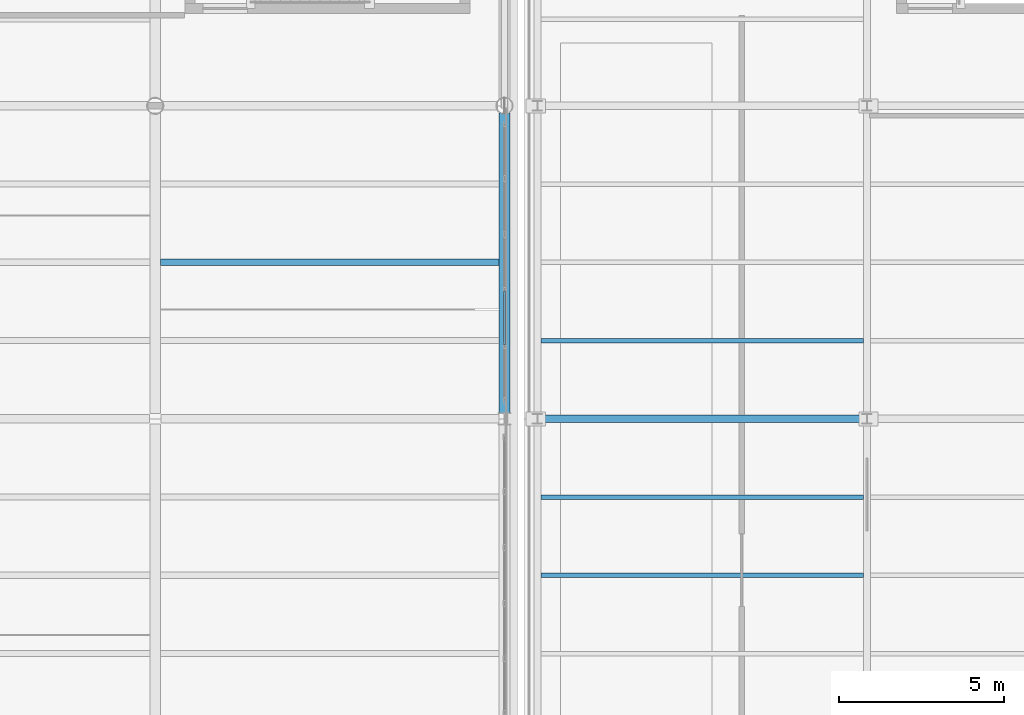
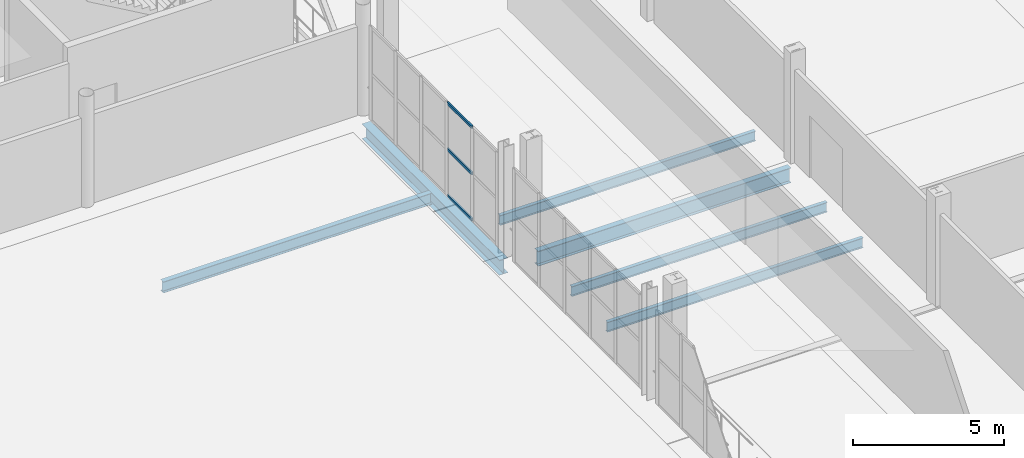
# One storey, part 91 of 156: 6 beams, 3 members, 1 element without a shape of its own.
"""IFC4 building model written with IfcOpenShell, lengths in metres."""

from ifc_helpers import new_model, si_unit, direction, frame, origin, origin_2d, place, context, subcontext, project, spatial, hollow_rectangle, i_section, extrude, material, material_profile, profile_set, type_object, element, aggregate, save


model = new_model("IFC4")

# Units and contexts
model_context = context("Model", 3, precision=1e-05, world=origin(), true_north=direction((0.0, 1.0)))
body_context = subcontext(model_context, "Body", "Model", "MODEL_VIEW")
ifc_project = project(units=[si_unit("LENGTHUNIT", "METRE"), si_unit("AREAUNIT", "SQUARE_METRE"), si_unit("VOLUMEUNIT", "CUBIC_METRE"), si_unit("PLANEANGLEUNIT", "RADIAN"), si_unit("MASSUNIT", "GRAM", prefix="KILO")], contexts=[model_context])

# Site, building, storey
site_placement = place(None, origin())
site = spatial("IfcSite", under=ifc_project, at=site_placement, CompositionType="ELEMENT")
building_placement = place(site_placement, origin())
building = spatial("IfcBuilding", under=site, at=building_placement, Name="Caurita Quay Ferry Terminal", CompositionType="ELEMENT")
storey_placement = place(building_placement, frame((0.0, 0.0, 5.39990234375)))
storey = spatial("IfcBuildingStorey", under=building, at=storey_placement, Name="L01", CompositionType="ELEMENT", Elevation=5.39990234375)

# Beams
ifc_material_1 = material(Name="Structural steel ASTM A992 Gr. 50", Category="steel")
ifc_material_profile_1 = material_profile(ifc_material_1, i_section(OverallWidth=0.3251953125, OverallDepth=0.612060546875, WebThickness=0.0126953125, FlangeThickness=0.01904296875, FilletRadius=0.01513671875, at=origin_2d()), Name="W24X104")
ifc_profile_set_1 = profile_set([ifc_material_profile_1], Name="Structural steel ASTM A992 Gr. 50")
beam_type_1 = type_object("IfcBeamType", Name="BM-GR-W24A", PredefinedType="BEAM", material=ifc_profile_set_1)
beam_1_placement = place(storey_placement, frame((131.800048828125, 53.3671875, -0.60595703125), z_axis=(0.0, 1.0, 0.0), x_axis=(-1.0, 0.0, 0.0)))
element("IfcBeam", 1, at=beam_1_placement, inside=storey, type_object=beam_type_1, Name="L01 Beam BM-V2-L01-Y-1318-534", PredefinedType="BEAM", context=body_context, shape_type="SweptSolid", body=[
    extrude(i_section(OverallWidth=0.3251953125, OverallDepth=0.612060546875, WebThickness=0.0126953125, FlangeThickness=0.01904296875, FilletRadius=0.01513671875, at=origin_2d()), origin(), (0.0, 0.0, 1.0), 9.116943359375),
])
ifc_material_profile_2 = material_profile(ifc_material_1, i_section(OverallWidth=0.22802734375, OverallDepth=0.60205078125, WebThickness=0.010498046875, FlangeThickness=0.014892578125, at=origin_2d()), Name="W24X68")
ifc_profile_set_2 = profile_set([ifc_material_profile_2], Name="Structural steel ASTM A992 Gr. 50")
beam_type_2 = type_object("IfcBeamType", Name="BM-GR-W24C", PredefinedType="BEAM", material=ifc_profile_set_2)
beam_2_placement = place(storey_placement, frame((132.95751953125, 53.199951171875, -0.535888671875), z_axis=(1.0, 0.0, 0.0), x_axis=(0.0, 1.0, 0.0)))
element("IfcBeam", 2, at=beam_2_placement, inside=storey, type_object=beam_type_2, Name="L01 Beam BM-V3H-L01-X-1330-532", PredefinedType="BEAM", context=body_context, shape_type="SweptSolid", body=[
    extrude(i_section(OverallWidth=0.22802734375, OverallDepth=0.60205078125, WebThickness=0.010498046875, FlangeThickness=0.014892578125, at=origin_2d()), origin(), (0.0, 0.0, 1.0), 9.684814453125),
])
ifc_material_profile_3 = material_profile(ifc_material_1, i_section(OverallWidth=0.139892578125, OverallDepth=0.39892578125, WebThickness=0.00634765625, FlangeThickness=0.0087890625, at=origin_2d()), Name="W16X26")
ifc_profile_set_3 = profile_set([ifc_material_profile_3], Name="Structural steel ASTM A992 Gr. 50")
beam_type_3 = type_object("IfcBeamType", Name="BM-JS-W16C", PredefinedType="JOIST", material=ifc_profile_set_3)
for number, where, z_axis, x_axis, name in (
    (3, (132.905517578125, 48.449951171875, -0.434326171875), (1.0, 0.0, 0.0), (0.0, 1.0, 0.0), "L01 Beam JS-V3H-L01-005"),
    (4, (132.905517578125, 50.824951171875, -0.434326171875), (1.0, 0.0, 0.0), (0.0, 1.0, 0.0), "L01 Beam JS-V3H-L01-006"),
    (5, (132.905517578125, 55.574951171875, -0.434326171875), (1.0, 0.0, 0.0), (0.0, 1.0, 0.0), "L01 Beam JS-V3H-L01-007"),
):
    element("IfcBeam", number, at=place(storey_placement, frame(where, z_axis=z_axis, x_axis=x_axis)), inside=storey, type_object=beam_type_3, Name=name, PredefinedType="JOIST", context=body_context, shape_type="SweptSolid", body=[
        extrude(i_section(OverallWidth=0.139892578125, OverallDepth=0.39892578125, WebThickness=0.00634765625, FlangeThickness=0.0087890625, at=origin_2d()), origin(), (0.0, 0.0, 1.0), 9.7890625),
    ])
ifc_material_profile_4 = material_profile(ifc_material_1, i_section(OverallWidth=0.1904296875, OverallDepth=0.457275390625, WebThickness=0.009033203125, FlangeThickness=0.014404296875, FilletRadius=0.0126953125, at=origin_2d()), Name="W18X50")
ifc_profile_set_4 = profile_set([ifc_material_profile_4], Name="Structural steel ASTM A992 Gr. 50")
beam_type_4 = type_object("IfcBeamType", Name="BM-JS-W18B", PredefinedType="JOIST", material=ifc_profile_set_4)
beam_3_placement = place(storey_placement, frame((121.362548828125, 57.949951171875, -0.528564453125), z_axis=(1.0, 0.0, 0.0), x_axis=(0.0, 1.0, 0.0)))
element("IfcBeam", 6, at=beam_3_placement, inside=storey, type_object=beam_type_4, Name="L01 Beam JS-V2-L01-038", PredefinedType="JOIST", context=body_context, shape_type="SweptSolid", body=[
    extrude(i_section(OverallWidth=0.1904296875, OverallDepth=0.457275390625, WebThickness=0.009033203125, FlangeThickness=0.014404296875, FilletRadius=0.0126953125, at=origin_2d()), origin(), (0.0, 0.0, 1.0), 10.27490234375),
])

# Curtain wall, members
ifc_material_2 = material(Name="Laminated solar-control insulated glass", Category="glass")
curtain_wall_type = type_object("IfcCurtainWallType", Name="CW-SYS-12", PredefinedType="NOTDEFINED", material=ifc_material_2)
curtain_wall_placement = place(storey_placement, origin())
curtain_wall = element("IfcCurtainWall", 7, at=curtain_wall_placement, inside=storey, type_object=curtain_wall_type, Name="Concourse Gable Curtain Wall 088", PredefinedType="NOTDEFINED")
ifc_material_3 = material(Name="Anodized aluminium 6063-T6", Category="aluminium")
ifc_material_profile_5 = material_profile(ifc_material_3, hollow_rectangle(XDim=0.06005859375, YDim=0.114990234375, WallThickness=0.00341796875, at=origin_2d()), Name="ALU-TRN-60X115")
ifc_profile_set_5 = profile_set([ifc_material_profile_5], Name="Anodized aluminium 6063-T6")
member_type = type_object("IfcMemberType", Name="CW-TRN-115", PredefinedType="USERDEFINED", material=ifc_profile_set_5)
member_1_placement = place(storey_placement, frame((131.800048828125, 55.4423828125, 0.030029296875), z_axis=(0.0, 1.0, 0.0), x_axis=(-1.0, 0.0, 0.0)))
member_1 = element("IfcMember", 8, at=member_1_placement, type_object=member_type, Name="CW-GBL-088 Transom 4", ObjectType="TRANSOM", PredefinedType="USERDEFINED", context=body_context, shape_type="SweptSolid", body=[
    extrude(hollow_rectangle(XDim=0.06005859375, YDim=0.114990234375, WallThickness=0.00341796875, at=origin_2d()), origin(), (0.0, 0.0, 1.0), 1.631103515625),
])
member_2_placement = place(storey_placement, frame((131.800048828125, 55.4423828125, 1.900146484375), z_axis=(0.0, 1.0, 0.0), x_axis=(-1.0, 0.0, 0.0)))
member_2 = element("IfcMember", 9, at=member_2_placement, type_object=member_type, Name="CW-GBL-088 Transom 5", ObjectType="TRANSOM", PredefinedType="USERDEFINED", context=body_context, shape_type="SweptSolid", body=[
    extrude(hollow_rectangle(XDim=0.06005859375, YDim=0.114990234375, WallThickness=0.00341796875, at=origin_2d()), origin(), (0.0, 0.0, 1.0), 1.631103515625),
])
member_3_placement = place(storey_placement, frame((131.800048828125, 55.4423828125, 3.77001953125), z_axis=(0.0, 1.0, 0.0), x_axis=(-1.0, 0.0, 0.0)))
member_3 = element("IfcMember", 10, at=member_3_placement, type_object=member_type, Name="CW-GBL-088 Transom 6", ObjectType="TRANSOM", PredefinedType="USERDEFINED", context=body_context, shape_type="SweptSolid", body=[
    extrude(hollow_rectangle(XDim=0.06005859375, YDim=0.114990234375, WallThickness=0.00341796875, at=origin_2d()), origin(), (0.0, 0.0, 1.0), 1.631103515625),
])
aggregate(curtain_wall, [member_1, member_2, member_3])

save(model, "model.ifc")
